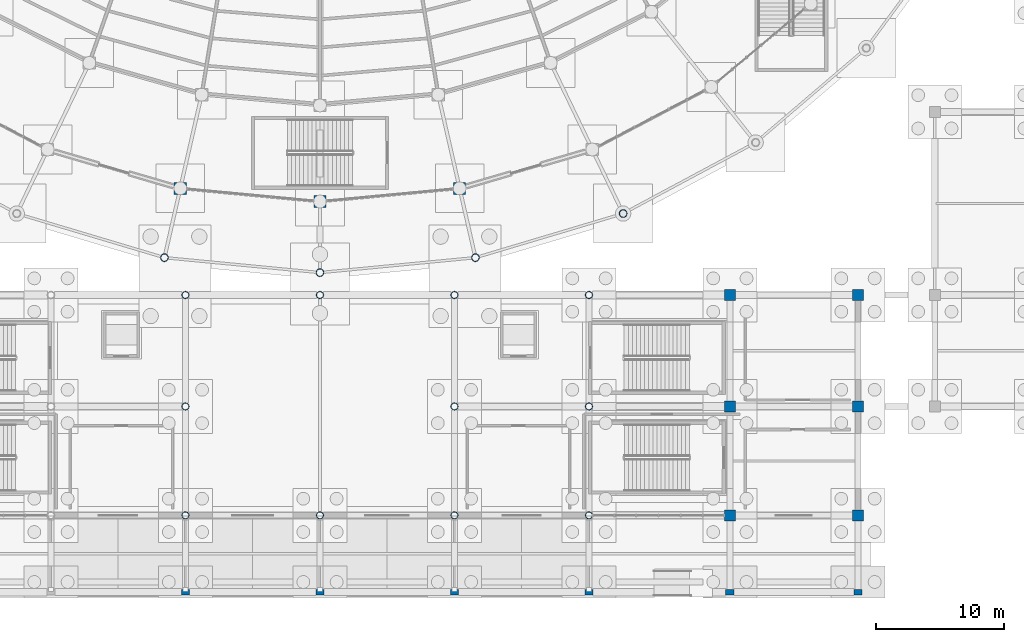
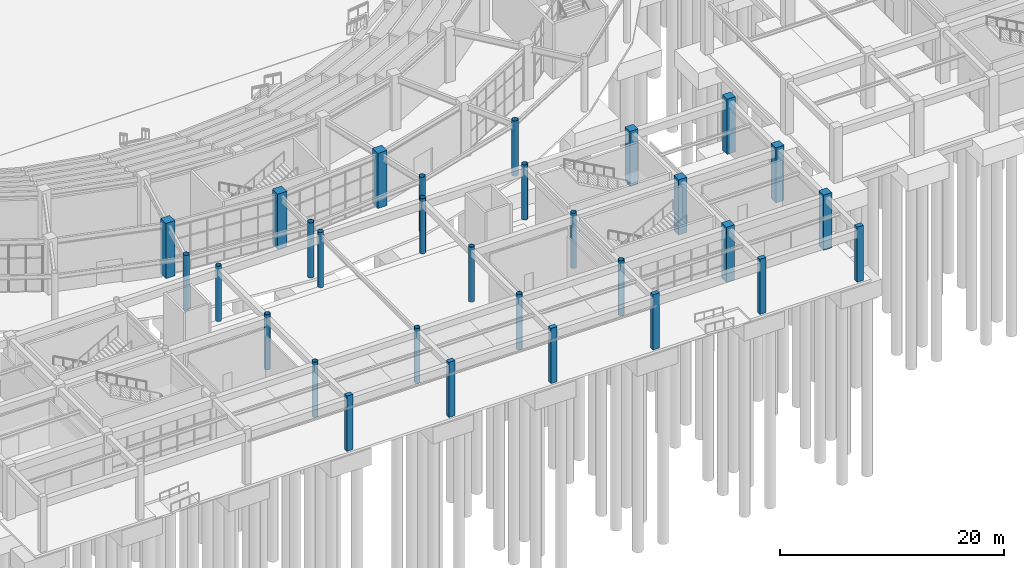
# One storey, part 12 of 121: 30 columns.
"""IFC4 building model written with IfcOpenShell, lengths in metres."""

from ifc_helpers import new_model, si_unit, direction, frame, origin, origin_2d, place, context, subcontext, project, spatial, rectangle, hollow_circle, extrude, material, material_profile, profile_set, type_object, element, save


model = new_model("IFC4")

# Units and contexts
model_context = context("Model", 3, precision=1e-05, world=origin(), true_north=direction((0.0, 1.0)))
body_context = subcontext(model_context, "Body", "Model", "MODEL_VIEW")
ifc_project = project(units=[si_unit("LENGTHUNIT", "METRE"), si_unit("AREAUNIT", "SQUARE_METRE"), si_unit("VOLUMEUNIT", "CUBIC_METRE"), si_unit("PLANEANGLEUNIT", "RADIAN"), si_unit("MASSUNIT", "GRAM", prefix="KILO")], contexts=[model_context])

# Site, building, storey
site_placement = place(None, origin())
site = spatial("IfcSite", under=ifc_project, at=site_placement, CompositionType="ELEMENT")
building_placement = place(site_placement, origin())
building = spatial("IfcBuilding", under=site, at=building_placement, Name="Cuetzalor Civic Arena", CompositionType="ELEMENT")
storey_placement = place(building_placement, origin())
storey = spatial("IfcBuildingStorey", under=building, at=storey_placement, Name="L00", CompositionType="ELEMENT", Elevation=0.0)

# Columns
ifc_material_1 = material(Name="Concrete C40/50", Category="concrete")
ifc_material_profile_1 = material_profile(ifc_material_1, rectangle(XDim=0.64990234375, YDim=0.449951171875, at=origin_2d()), Name="RC 650x450")
ifc_profile_set_1 = profile_set([ifc_material_profile_1], Name="Concrete C40/50")
column_type_1 = type_object("IfcColumnType", Name="ArcadePilaster_650x450", PredefinedType="PILASTER", material=ifc_profile_set_1)
for number, where, z_axis, x_axis, name in (
    (1, (-10.5, -71.5, 0.0), (0.0, 0.0, 1.0), (1.0, 0.0, 0.0), "Column V3-C-04-01 L00"),
    (2, (0.0, -71.5, 0.0), (0.0, 0.0, 1.0), (1.0, 0.0, 0.0), "Column V3-C-05-01 L00"),
    (3, (10.5, -71.5, 0.0), (0.0, 0.0, 1.0), (1.0, 0.0, 0.0), "Column V3-C-06-01 L00"),
    (4, (21.0, -71.5, 0.0), (0.0, 0.0, 1.0), (1.0, 0.0, 0.0), "Column V3-C-07-01 L00"),
    (5, (32.0, -71.5, 0.0), (0.0, 0.0, 1.0), (1.0, 0.0, 0.0), "Column V3-C-08-01 L00"),
    (6, (42.0, -71.5, 0.0), (0.0, 0.0, 1.0), (1.0, 0.0, 0.0), "Column V3-C-09-01 L00"),
):
    element("IfcColumn", number, at=place(storey_placement, frame(where, z_axis=z_axis, x_axis=x_axis)), inside=storey, type_object=column_type_1, Name=name, PredefinedType="PILASTER", context=body_context, shape_type="SweptSolid", body=[
        extrude(rectangle(XDim=0.64990234375, YDim=0.449951171875, at=origin_2d()), origin(), (0.0, 0.0, 1.0), 6.0),
    ])
ifc_material_2 = material(Name="Concrete C40/50", Category="concrete")
ifc_material_profile_2 = material_profile(ifc_material_2, rectangle(XDim=0.85009765625, YDim=0.85009765625, at=origin_2d()), Name="RC 850x850")
ifc_profile_set_2 = profile_set([ifc_material_profile_2], Name="Concrete C40/50")
column_type_2 = type_object("IfcColumnType", Name="ConcreteColumn_850", PredefinedType="COLUMN", material=ifc_profile_set_2)
for number, where, z_axis, x_axis, name in (
    (7, (32.0, -65.5, 0.0), (0.0, 0.0, 1.0), (1.0, 0.0, 0.0), "Column V3-C-08-02 L00"),
    (8, (32.0, -57.0, 0.0), (0.0, 0.0, 1.0), (1.0, 0.0, 0.0), "Column V3-C-08-03 L00"),
    (9, (32.0, -48.300048828125, 0.0), (0.0, 0.0, 1.0), (1.0, 0.0, 0.0), "Column V3-C-08-04 L00"),
    (10, (42.0, -65.5, 0.0), (0.0, 0.0, 1.0), (1.0, 0.0, 0.0), "Column V3-C-09-02 L00"),
    (11, (42.0, -57.0, 0.0), (0.0, 0.0, 1.0), (1.0, 0.0, 0.0), "Column V3-C-09-03 L00"),
    (12, (42.0, -48.300048828125, 0.0), (0.0, 0.0, 1.0), (1.0, 0.0, 0.0), "Column V3-C-09-04 L00"),
):
    element("IfcColumn", number, at=place(storey_placement, frame(where, z_axis=z_axis, x_axis=x_axis)), inside=storey, type_object=column_type_2, Name=name, PredefinedType="COLUMN", context=body_context, shape_type="SweptSolid", body=[
        extrude(rectangle(XDim=0.85009765625, YDim=0.85009765625, at=origin_2d()), origin(), (0.0, 0.0, 1.0), 6.0),
    ])
ifc_material_3 = material(Name="Concrete C40/50", Category="concrete")
ifc_material_profile_3 = material_profile(ifc_material_3, rectangle(XDim=0.949951171875, YDim=0.949951171875, at=origin_2d()), Name="RC 950x950")
ifc_profile_set_3 = profile_set([ifc_material_profile_3], Name="Concrete C40/50")
column_type_3 = type_object("IfcColumnType", Name="ConcreteColumn_950", PredefinedType="COLUMN", material=ifc_profile_set_3)
for number, where, z_axis, x_axis, name in (
    (13, (-10.903564453125, -39.971923828125, 0.0), (0.0, 0.0, 1.0), (1.0, 0.0, 0.0), "Column V1-REC-21 L00"),
    (14, (0.0, -41.0, 0.0), (0.0, 0.0, 1.0), (1.0, 0.0, 0.0), "Column V1-REC-22 L00"),
    (15, (10.903564453125, -39.971923828125, 0.0), (0.0, 0.0, 1.0), (1.0, 0.0, 0.0), "Column V1-REC-23 L00"),
):
    element("IfcColumn", number, at=place(storey_placement, frame(where, z_axis=z_axis, x_axis=x_axis)), inside=storey, type_object=column_type_3, Name=name, PredefinedType="COLUMN", context=body_context, shape_type="SweptSolid", body=[
        extrude(rectangle(XDim=0.949951171875, YDim=0.949951171875, at=origin_2d()), origin(), (0.0, 0.0, 1.0), 6.0),
    ])
ifc_material_4 = material(Name="Steel S355", Category="steel")
ifc_material_profile_4 = material_profile(ifc_material_4, hollow_circle(Radius=0.304931640625, WallThickness=0.02490234375, at=origin_2d()), Name="CHS 610x25")
ifc_profile_set_4 = profile_set([ifc_material_profile_4], Name="Steel S355")
column_type_4 = type_object("IfcColumnType", Name="SteelDomePylon_CHS610", PredefinedType="COLUMN", material=ifc_profile_set_4)
for number, where, z_axis, x_axis, name in (
    (16, (-12.138427734375, -45.3828125, 0.0), (0.0, 0.0, 1.0), (1.0, 0.0, 0.0), "Column V1-PYL-21 L00"),
    (17, (0.0, -46.550048828125, 0.0), (0.0, 0.0, 1.0), (1.0, 0.0, 0.0), "Column V1-PYL-22 L00"),
    (18, (12.138427734375, -45.3828125, 0.0), (0.0, 0.0, 1.0), (1.0, 0.0, 0.0), "Column V1-PYL-23 L00"),
    (19, (23.66845703125, -41.940185546875, 0.0), (0.0, 0.0, 1.0), (1.0, 0.0, 0.0), "Column V1-PYL-24 L00"),
):
    element("IfcColumn", number, at=place(storey_placement, frame(where, z_axis=z_axis, x_axis=x_axis)), inside=storey, type_object=column_type_4, Name=name, PredefinedType="COLUMN", context=body_context, shape_type="SweptSolid", body=[
        extrude(hollow_circle(Radius=0.304931640625, WallThickness=0.02490234375, at=origin_2d()), origin(), (0.0, 0.0, 1.0), 6.0),
    ])
ifc_material_5 = material(Name="Steel S355", Category="steel")
ifc_material_profile_5 = material_profile(ifc_material_5, hollow_circle(Radius=0.279541015625, WallThickness=0.02001953125, at=origin_2d()), Name="CHS 559x20")
ifc_profile_set_5 = profile_set([ifc_material_profile_5], Name="Steel S355")
column_type_5 = type_object("IfcColumnType", Name="SteelFoyerColumn_CHS559", PredefinedType="COLUMN", material=ifc_profile_set_5)
for number, where, z_axis, x_axis, name in (
    (20, (-10.5, -65.5, 0.0), (0.0, 0.0, 1.0), (1.0, 0.0, 0.0), "Column V3-C-04-02 L00"),
    (21, (-10.5, -57.0, 0.0), (0.0, 0.0, 1.0), (1.0, 0.0, 0.0), "Column V3-C-04-03 L00"),
    (22, (-10.5, -48.300048828125, 0.0), (0.0, 0.0, 1.0), (1.0, 0.0, 0.0), "Column V3-C-04-04 L00"),
    (23, (0.0, -65.5, 0.0), (0.0, 0.0, 1.0), (1.0, 0.0, 0.0), "Column V3-C-05-02 L00"),
    (24, (0.0, -48.300048828125, 0.0), (0.0, 0.0, 1.0), (1.0, 0.0, 0.0), "Column V3-C-05-04 L00"),
    (25, (10.5, -65.5, 0.0), (0.0, 0.0, 1.0), (1.0, 0.0, 0.0), "Column V3-C-06-02 L00"),
    (26, (10.5, -57.0, 0.0), (0.0, 0.0, 1.0), (1.0, 0.0, 0.0), "Column V3-C-06-03 L00"),
    (27, (10.5, -48.300048828125, 0.0), (0.0, 0.0, 1.0), (1.0, 0.0, 0.0), "Column V3-C-06-04 L00"),
    (28, (21.0, -65.5, 0.0), (0.0, 0.0, 1.0), (1.0, 0.0, 0.0), "Column V3-C-07-02 L00"),
    (29, (21.0, -57.0, 0.0), (0.0, 0.0, 1.0), (1.0, 0.0, 0.0), "Column V3-C-07-03 L00"),
    (30, (21.0, -48.300048828125, 0.0), (0.0, 0.0, 1.0), (1.0, 0.0, 0.0), "Column V3-C-07-04 L00"),
):
    element("IfcColumn", number, at=place(storey_placement, frame(where, z_axis=z_axis, x_axis=x_axis)), inside=storey, type_object=column_type_5, Name=name, PredefinedType="COLUMN", context=body_context, shape_type="SweptSolid", body=[
        extrude(hollow_circle(Radius=0.279541015625, WallThickness=0.02001953125, at=origin_2d()), origin(), (0.0, 0.0, 1.0), 6.0),
    ])

save(model, "model.ifc")
